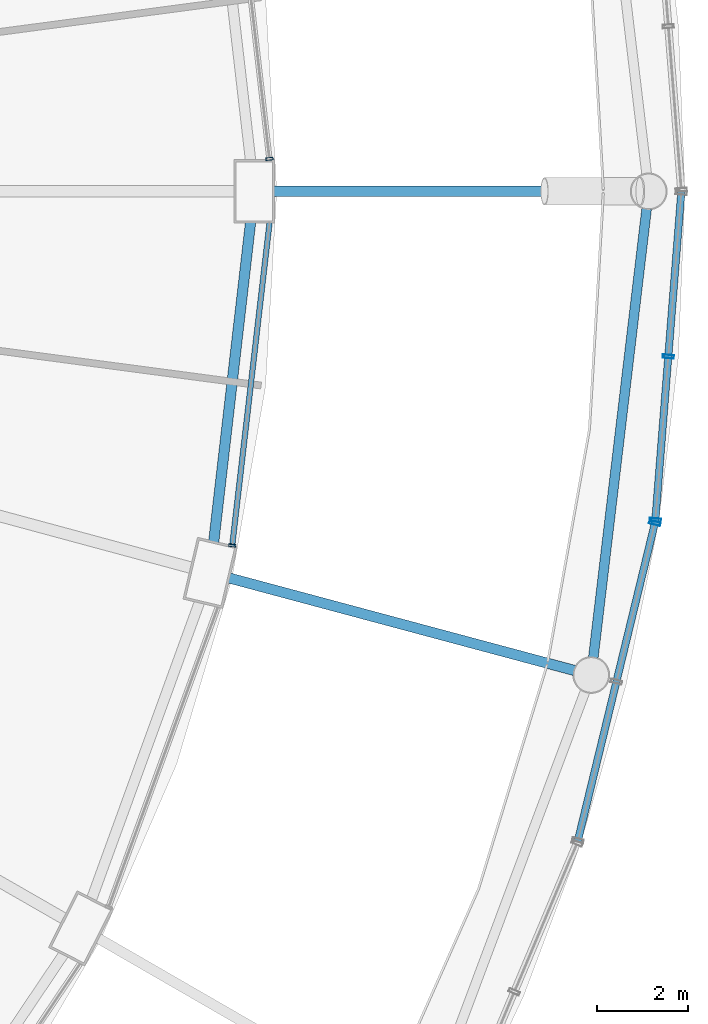
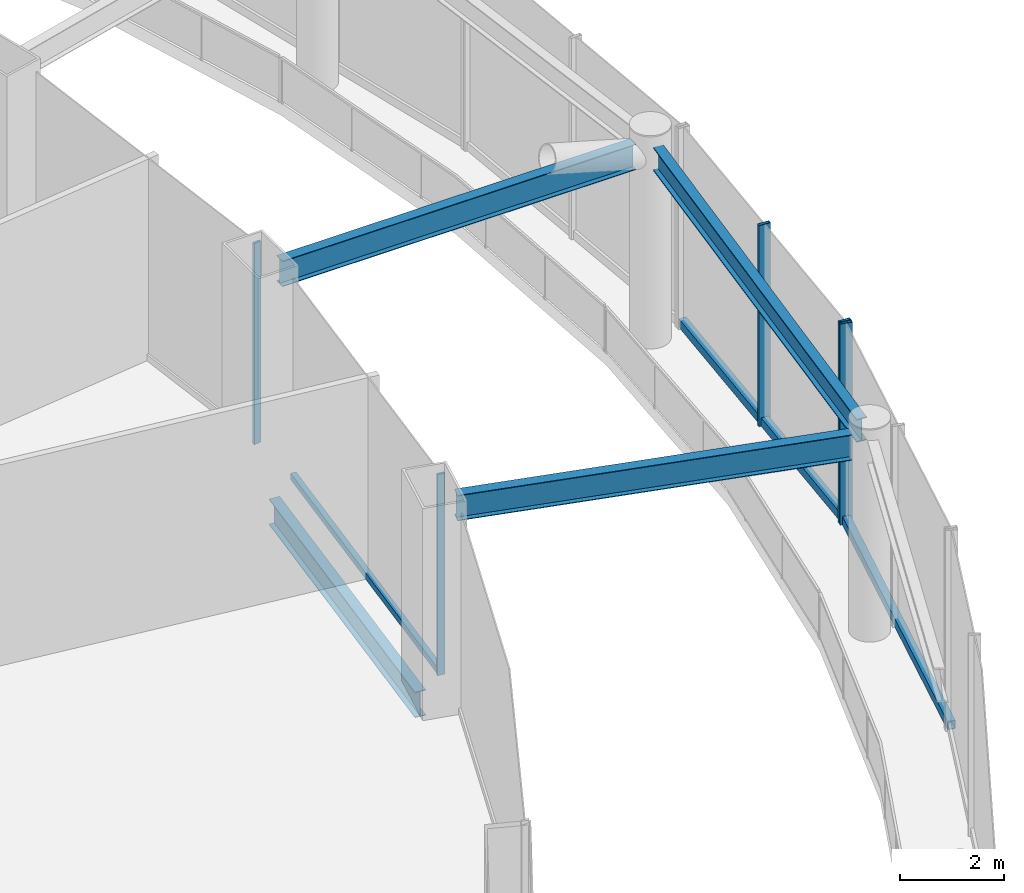
# One storey, part 27 of 52: 8 members, 4 beams, 4 elements without a shape of their own.
"""IFC4 building model written with IfcOpenShell, lengths in metres."""

import ifcopenshell
import ifcopenshell.guid

model = None  # the IFC model being written
_history = None  # IfcOwnerHistory: only IFC2X3 demands one
_inside = {}  # id of a spatial element -> (the spatial element, [elements in it])
_under = {}  # id of a project, library or spatial element -> (it, [spatial elements below it])
_declared = {}  # id of a project -> (the project, [libraries it declares])
_typed = {}  # id of a type object -> (the type object, [elements of that type])
_made_of = {}  # id of a material, layer set ... -> (it, [elements and type objects made of it])


def new_model(schema):
    """Start an empty IFC model of exactly this schema.

    Asked for "IFC4X3", IfcOpenShell would pick the latest addendum, in which some entities
    have other attributes; the version numbers below select the first issue.
    IFC2X3 requires an IfcOwnerHistory on every rooted entity: one is made here for all.
    """
    global model, _history
    if schema == "IFC4X3":
        model = ifcopenshell.file(schema_version=(4, 3, 0, 0))
    else:
        model = ifcopenshell.file(schema=schema)
    _inside.clear()
    _under.clear()
    _declared.clear()
    _typed.clear()
    _made_of.clear()
    _history = None
    if model.schema == "IFC2X3":
        org = make("IfcOrganization", Name="unknown")
        user = make(
            "IfcPersonAndOrganization",
            ThePerson=make("IfcPerson", FamilyName="unknown"),
            TheOrganization=org,
        )
        app = make(
            "IfcApplication",
            ApplicationDeveloper=org,
            Version="unknown",
            ApplicationFullName="unknown",
            ApplicationIdentifier="unknown",
        )
        _history = make(
            "IfcOwnerHistory",
            OwningUser=user,
            OwningApplication=app,
            ChangeAction="ADDED",
            CreationDate=0,
        )
    return model


def make(cls, **values):
    """One entity of the class cls with the attributes given. An attribute that is None is left unset."""
    return model.create_entity(
        cls, **{name: value for name, value in values.items() if value is not None}
    )


def rooted(cls, **values):
    """An entity with a GlobalId (a new one), such as an element, a storey or a relation."""
    return make(cls, GlobalId=ifcopenshell.guid.new(), OwnerHistory=_history, **values)


def si_unit(unit_type, name, prefix=None):
    """IfcSIUnit, for example si_unit("LENGTHUNIT", "METRE", prefix="MILLI")."""
    return make("IfcSIUnit", UnitType=unit_type, Prefix=prefix, Name=name)


def assignment(units):
    """IfcUnitAssignment: the units of a project."""
    return None if units is None else make("IfcUnitAssignment", Units=units)


def point(xyz):
    """IfcCartesianPoint."""
    return None if xyz is None else make("IfcCartesianPoint", Coordinates=xyz)


def direction(xyz):
    """IfcDirection."""
    return None if xyz is None else make("IfcDirection", DirectionRatios=xyz)


def frame(location, z_axis=None, x_axis=None):
    """IfcAxis2Placement3D, a coordinate frame: its origin and axes. An axis left out is left unset."""
    return make(
        "IfcAxis2Placement3D",
        Location=point(location),
        Axis=direction(z_axis),
        RefDirection=direction(x_axis),
    )


def frame_2d(location, x_axis=None):
    """IfcAxis2Placement2D, a coordinate frame in the plane: its origin and x axis."""
    return make(
        "IfcAxis2Placement2D", Location=point(location), RefDirection=direction(x_axis)
    )


def origin():
    """The frame at (0, 0, 0) with its axes left unset."""
    return frame((0.0, 0.0, 0.0))


def origin_2d():
    """The frame at (0, 0) in the plane with its x axis left unset."""
    return frame_2d((0.0, 0.0))


def place(relative_to, where):
    """IfcLocalPlacement: puts the frame where relative to a parent placement (None: the world)."""
    return make(
        "IfcLocalPlacement", PlacementRelTo=relative_to, RelativePlacement=where
    )


def context(
    kind, dimensions, precision=None, world=None, true_north=None, identifier=None
):
    """IfcGeometricRepresentationContext, for example the 3D "Model" context."""
    return make(
        "IfcGeometricRepresentationContext",
        ContextIdentifier=identifier,
        ContextType=kind,
        CoordinateSpaceDimension=dimensions,
        Precision=precision,
        WorldCoordinateSystem=world,
        TrueNorth=true_north,
    )


def subcontext(parent, identifier, kind, view, scale=None):
    """IfcGeometricRepresentationSubContext, for example "Body" below "Model"."""
    return make(
        "IfcGeometricRepresentationSubContext",
        ContextIdentifier=identifier,
        ContextType=kind,
        ParentContext=parent,
        TargetScale=scale,
        TargetView=view,
    )


def project(units=None, contexts=None):
    """IfcProject with its units and contexts."""
    return rooted(
        "IfcProject",
        Name="project",
        RepresentationContexts=contexts,
        UnitsInContext=assignment(units),
    )


def spatial(cls, under=None, at=None, **own):
    """A site, building, storey or space (cls), placed at a placement, below another one or the project."""
    s = rooted(cls, ObjectPlacement=at, **own)
    if under is not None:
        _under.setdefault(under.id(), (under, []))[1].append(s)
    return s


def profile(cls, at=None, kind="AREA", **sizes):
    """A parametric profile (cls). Its sizes go by their IFC names, for example OverallWidth=200.0."""
    return make(cls, ProfileType=kind, Position=at, **sizes)


def hollow_rectangle(**sizes):
    """IfcRectangleHollowProfileDef."""
    return profile("IfcRectangleHollowProfileDef", **sizes)


def i_section(**sizes):
    """IfcIShapeProfileDef."""
    return profile("IfcIShapeProfileDef", **sizes)


def extrude(swept, where, along, depth):
    """IfcExtrudedAreaSolid: the profile swept, set in the frame where, extruded along a direction by depth."""
    return make(
        "IfcExtrudedAreaSolid",
        SweptArea=swept,
        Position=where,
        ExtrudedDirection=direction(along),
        Depth=depth,
    )


def shape(context_of_items, identifier, shape_type, items):
    """IfcShapeRepresentation: the items that make up one representation, for example the "Body"."""
    return make(
        "IfcShapeRepresentation",
        ContextOfItems=context_of_items,
        RepresentationIdentifier=identifier,
        RepresentationType=shape_type,
        Items=items,
    )


def material(Name=None, Category=None):
    """IfcMaterial."""
    return make("IfcMaterial", Name=Name, Category=Category)


def layer(
    of_material, thickness, ventilated=None, Name=None, Category=None, Priority=None
):
    """IfcMaterialLayer: one layer of a wall or slab, of a material (None: an air gap)."""
    return make(
        "IfcMaterialLayer",
        Material=of_material,
        LayerThickness=thickness,
        IsVentilated=ventilated,
        Name=Name,
        Category=Category,
        Priority=Priority,
    )


def layer_set(layers, Name=None):
    """IfcMaterialLayerSet."""
    return make("IfcMaterialLayerSet", MaterialLayers=layers, LayerSetName=Name)


def material_profile(
    of_material, cross_section, Name=None, Category=None, Priority=None
):
    """IfcMaterialProfile: a cross section and its material."""
    return make(
        "IfcMaterialProfile",
        Name=Name,
        Material=of_material,
        Profile=cross_section,
        Priority=Priority,
        Category=Category,
    )


def profile_set(profiles, Name=None, composite=None):
    """IfcMaterialProfileSet."""
    return make(
        "IfcMaterialProfileSet",
        Name=Name,
        MaterialProfiles=profiles,
        CompositeProfile=composite,
    )


def made_of(thing, what):
    """Note that an element or type object is made of a material, layer set ...; save() writes the relation."""
    if what is not None:
        _made_of.setdefault(what.id(), (what, []))[1].append(thing)
    return thing


def type_object(cls, material=None, **own):
    """A type object (cls), such as IfcWallType, which elements share."""
    return made_of(rooted(cls, **own), material)


def element(
    cls,
    number,
    at=None,
    inside=None,
    cuts=None,
    type_object=None,
    material=None,
    context=None,
    identifier="Body",
    shape_type=None,
    held_by="IfcProductDefinitionShape",
    body=None,
    shapes=None,
    **own,
):
    """One element of the class cls, such as IfcWall. Its Tag is "e" and its number.

    at: its placement. inside: the storey or other place that contains it. cuts: it is an
    opening in that element (IfcRelVoidsElement). A single representation is given by context,
    identifier, shape_type and body (its items); several are given by shapes. held_by: the class
    of the entity that holds the representations. save() writes the other relations.
    """
    e = rooted(cls, Tag="e%d" % number, ObjectPlacement=at, **own)
    if body is not None:
        shapes = [shape(context, identifier, shape_type, body)]
    if shapes is not None:
        e.Representation = make(held_by, Representations=shapes)
    if inside is not None:
        _inside.setdefault(inside.id(), (inside, []))[1].append(e)
    if cuts is not None:
        rooted(
            "IfcRelVoidsElement", RelatingBuildingElement=cuts, RelatedOpeningElement=e
        )
    if type_object is not None:
        _typed.setdefault(type_object.id(), (type_object, []))[1].append(e)
    return made_of(e, material)


def aggregate(whole, parts):
    """IfcRelAggregates: a whole, such as a stair, and the parts it consists of."""
    return rooted("IfcRelAggregates", RelatingObject=whole, RelatedObjects=parts)


def save(model, path):
    """Write the relations noted so far, then the file.

    IfcRelAggregates (storeys below a building ...), IfcRelContainedInSpatialStructure (elements
    in a storey), IfcRelDefinesByType, IfcRelAssociatesMaterial and IfcRelDeclares: one each for
    every whole, place, type object, material and project.
    """
    for whole, parts in _under.values():
        aggregate(whole, parts)
    for where, things in _inside.values():
        rooted(
            "IfcRelContainedInSpatialStructure",
            RelatedElements=things,
            RelatingStructure=where,
        )
    for kind, things in _typed.values():
        rooted("IfcRelDefinesByType", RelatedObjects=things, RelatingType=kind)
    for what, things in _made_of.values():
        rooted("IfcRelAssociatesMaterial", RelatedObjects=things, RelatingMaterial=what)
    for by, libraries in _declared.values():
        rooted("IfcRelDeclares", RelatingContext=by, RelatedDefinitions=libraries)
    model.write(path)


model = new_model("IFC4")

# Units and contexts
model_context = context("Model", 3, precision=1e-05, world=origin(), true_north=direction((0.0, 1.0)))
body_context = subcontext(model_context, "Body", "Model", "MODEL_VIEW")
ifc_project = project(units=[si_unit("LENGTHUNIT", "METRE"), si_unit("AREAUNIT", "SQUARE_METRE"), si_unit("VOLUMEUNIT", "CUBIC_METRE"), si_unit("PLANEANGLEUNIT", "RADIAN"), si_unit("MASSUNIT", "GRAM", prefix="KILO")], contexts=[model_context])

# Site, building, storey
site_placement = place(None, origin())
site = spatial("IfcSite", under=ifc_project, at=site_placement, CompositionType="ELEMENT")
building_placement = place(site_placement, origin())
building = spatial("IfcBuilding", under=site, at=building_placement, Name="Nagisa Residences", CompositionType="ELEMENT")
storey_placement = place(building_placement, frame((0.0, 0.0, 22.0)))
storey = spatial("IfcBuildingStorey", under=building, at=storey_placement, Name="L04", CompositionType="ELEMENT", Elevation=22.0)

# Beams
ifc_material_1 = material(Name="Steel ASTM A572 Gr 50", Category="steel")
ifc_material_profile_1 = material_profile(ifc_material_1, i_section(OverallWidth=0.214111328125, OverallDepth=0.549072265625, WebThickness=0.0146484375, FlangeThickness=0.023681640625, at=origin_2d()), Name="W530x138")
ifc_profile_set_1 = profile_set([ifc_material_profile_1], Name="Steel ASTM A572 Gr 50")
beam_type_1 = type_object("IfcBeamType", Name="Atrium ring beam W530x138", PredefinedType="BEAM", material=ifc_profile_set_1)
beam_1_placement = place(storey_placement, frame((39.578125, -10.279541015625, 4.4755859375), z_axis=(0.118035165542, 0.993009415713, 0.0), x_axis=(-0.993009415713, 0.118035165542, 0.0)))
element("IfcBeam", 1, at=beam_1_placement, inside=storey, type_object=beam_type_1, Name="beam:L04:rab24", PredefinedType="BEAM", context=body_context, shape_type="SweptSolid", body=[
    extrude(i_section(OverallWidth=0.214111328125, OverallDepth=0.549072265625, WebThickness=0.0146484375, FlangeThickness=0.023681640625, at=origin_2d()), origin(), (0.0, 0.0, 1.0), 9.96533203125),
])
ifc_material_2 = material(Name="Steel ASTM A572 Gr 50", Category="steel")
ifc_material_profile_2 = material_profile(ifc_material_2, i_section(OverallWidth=0.22802734375, OverallDepth=0.60302734375, WebThickness=0.010498046875, FlangeThickness=0.014892578125, at=origin_2d()), Name="W610x101")
ifc_profile_set_2 = profile_set([ifc_material_profile_2], Name="Steel ASTM A572 Gr 50")
beam_type_2 = type_object("IfcBeamType", Name="Atrium roof beam W610x101", PredefinedType="BEAM", material=ifc_profile_set_2)
beam_2_placement = place(storey_placement, frame((32.530029296875, 0.0, 4.448486328125), z_axis=(1.0, 0.0, 0.0), x_axis=(0.0, 1.0, 0.0)))
element("IfcBeam", 2, at=beam_2_placement, inside=storey, type_object=beam_type_2, Name="beam:L04:rer01", PredefinedType="BEAM", context=body_context, shape_type="SweptSolid", body=[
    extrude(i_section(OverallWidth=0.22802734375, OverallDepth=0.60302734375, WebThickness=0.010498046875, FlangeThickness=0.014892578125, at=origin_2d()), origin(), (0.0, 0.0, 1.0), 7.883544921875),
])
beam_3_placement = place(storey_placement, frame((31.54443359375, -8.52294921875, 4.448486328125), z_axis=(0.965928422324, -0.258809356376, 0.0), x_axis=(0.258809356376, 0.965928422324, 0.0)))
element("IfcBeam", 3, at=beam_3_placement, inside=storey, type_object=beam_type_2, Name="beam:L04:rer24", PredefinedType="BEAM", context=body_context, shape_type="SweptSolid", body=[
    extrude(i_section(OverallWidth=0.22802734375, OverallDepth=0.60302734375, WebThickness=0.010498046875, FlangeThickness=0.014892578125, at=origin_2d()), origin(), (0.0, 0.0, 1.0), 7.88330078125),
])

# Curtain wall, member
ifc_material_3 = material(Name="Stainless steel curtain wall system", Category="steel")
ifc_layer_1 = layer(ifc_material_3, 0.159912109375)
ifc_layer_set_1 = layer_set([ifc_layer_1], Name="CW3 CURTAIN WALL")
curtain_wall_type_1 = type_object("IfcCurtainWallType", Name="CW3 CURTAIN WALL", PredefinedType="NOTDEFINED", material=ifc_layer_set_1)
curtain_wall_1_placement = place(storey_placement, origin())
curtain_wall_1 = element("IfcCurtainWall", 4, at=curtain_wall_1_placement, inside=storey, type_object=curtain_wall_type_1, Name="cw:CW3:L04:34", PredefinedType="NOTDEFINED")
ifc_material_4 = material(Name="Stainless steel", Category="steel")
ifc_material_profile_3 = material_profile(ifc_material_4, hollow_rectangle(XDim=0.25, YDim=0.080078125, WallThickness=0.008056640625, at=origin_2d()), Name="CW3 MULLION 250x80")
ifc_profile_set_3 = profile_set([ifc_material_profile_3], Name="Stainless steel")
member_type_1 = type_object("IfcMemberType", Name="CW3 MULLION 250x80", PredefinedType="MULLION", material=ifc_profile_set_3)
member_1_placement = place(storey_placement, frame((40.935546875, -7.313232421875, 0.0), z_axis=(0.0, 0.0, 1.0), x_axis=(-0.971848775146, 0.235605514043, 0.0)))
member_1 = element("IfcMember", 5, at=member_1_placement, type_object=member_type_1, Name="CW3 mullion", PredefinedType="MULLION", context=body_context, shape_type="SweptSolid", body=[
    extrude(hollow_rectangle(XDim=0.25, YDim=0.080078125, WallThickness=0.008056640625, at=origin_2d()), origin(), (0.0, 0.0, 1.0), 4.739990234375),
])

# Curtain wall, members
curtain_wall_2_placement = place(storey_placement, origin())
curtain_wall_2 = element("IfcCurtainWall", 6, at=curtain_wall_2_placement, inside=storey, type_object=curtain_wall_type_1, Name="cw:CW3:L04:35", PredefinedType="NOTDEFINED")
member_2_placement = place(storey_placement, frame((40.946044921875, -7.2470703125, 0.0), z_axis=(0.0, 0.0, 1.0), x_axis=(-0.996881777235, 0.078909582539, 0.0)))
member_2 = element("IfcMember", 7, at=member_2_placement, type_object=member_type_1, Name="CW3 mullion", PredefinedType="MULLION", context=body_context, shape_type="SweptSolid", body=[
    extrude(hollow_rectangle(XDim=0.25, YDim=0.080078125, WallThickness=0.008056640625, at=origin_2d()), origin(), (0.0, 0.0, 1.0), 4.739990234375),
])
member_3_placement = place(storey_placement, frame((41.231689453125, -3.640380859375, 0.0), z_axis=(0.0, 0.0, 1.0), x_axis=(-0.996881777235, 0.078909582539, 0.0)))
member_3 = element("IfcMember", 8, at=member_3_placement, type_object=member_type_1, Name="CW3 mullion", PredefinedType="MULLION", context=body_context, shape_type="SweptSolid", body=[
    extrude(hollow_rectangle(XDim=0.25, YDim=0.080078125, WallThickness=0.008056640625, at=origin_2d()), origin(), (0.0, 0.0, 1.0), 4.739990234375),
])

# Member
ifc_material_5 = material(Name="Stainless steel", Category="steel")
ifc_material_profile_4 = material_profile(ifc_material_5, hollow_rectangle(XDim=0.159912109375, YDim=0.199951171875, WallThickness=0.008056640625, at=origin_2d()), Name="CW3 TRANSOM 160x200")
ifc_profile_set_4 = profile_set([ifc_material_profile_4], Name="Stainless steel")
member_type_2 = type_object("IfcMemberType", Name="CW3 TRANSOM 160x200", PredefinedType="USERDEFINED", material=ifc_profile_set_4)
member_4_placement = place(storey_placement, frame((39.23046875, -14.345947265625, 0.10009765625), z_axis=(0.235637477095, 0.97184102578, 0.0), x_axis=(-0.97184102578, 0.235637477095, 0.0)))
member_4 = element("IfcMember", 9, at=member_4_placement, type_object=member_type_2, Name="CW3 transom", ObjectType="TRANSOM", PredefinedType="USERDEFINED", context=body_context, shape_type="SweptSolid", body=[
    extrude(hollow_rectangle(XDim=0.159912109375, YDim=0.199951171875, WallThickness=0.008056640625, at=origin_2d()), origin(), (0.0, 0.0, 1.0), 7.2763671875),
])

aggregate(curtain_wall_1, [member_1, member_4])

member_5_placement = place(storey_placement, frame((40.94287109375, -7.286865234375, 0.10009765625), z_axis=(0.078921540002, 0.996880830653, 0.0), x_axis=(-0.996880830653, 0.078921540002, 0.0)))
member_5 = element("IfcMember", 10, at=member_5_placement, type_object=member_type_2, Name="CW3 transom", ObjectType="TRANSOM", PredefinedType="USERDEFINED", context=body_context, shape_type="SweptSolid", body=[
    extrude(hollow_rectangle(XDim=0.159912109375, YDim=0.199951171875, WallThickness=0.008056640625, at=origin_2d()), origin(), (0.0, 0.0, 1.0), 7.31591796875),
])

aggregate(curtain_wall_2, [member_2, member_3, member_5])

# Curtain wall, member
ifc_material_6 = material(Name="Stainless steel curtain wall system", Category="steel")
ifc_layer_2 = layer(ifc_material_6, 0.159912109375)
ifc_layer_set_2 = layer_set([ifc_layer_2], Name="CW6 CURTAIN WALL")
curtain_wall_type_2 = type_object("IfcCurtainWallType", Name="CW6 CURTAIN WALL", PredefinedType="NOTDEFINED", material=ifc_layer_set_2)
curtain_wall_3_placement = place(storey_placement, origin())
curtain_wall_3 = element("IfcCurtainWall", 11, at=curtain_wall_3_placement, inside=storey, type_object=curtain_wall_type_2, Name="cw:CW6:L04:00", PredefinedType="NOTDEFINED")
ifc_material_7 = material(Name="Stainless steel", Category="steel")
ifc_material_profile_5 = material_profile(ifc_material_7, hollow_rectangle(XDim=0.159912109375, YDim=0.06005859375, WallThickness=0.006103515625, at=origin_2d()), Name="CW6 MULLION 160x60")
ifc_profile_set_5 = profile_set([ifc_material_profile_5], Name="Stainless steel")
member_type_3 = type_object("IfcMemberType", Name="CW6 MULLION 160x60", PredefinedType="MULLION", material=ifc_profile_set_5)
member_6_placement = place(storey_placement, frame((32.4365234375, 0.716064453125, 0.0), z_axis=(0.0, 0.0, 1.0), x_axis=(-0.993373823596, -0.114928006139, 0.0)))
member_6 = element("IfcMember", 12, at=member_6_placement, type_object=member_type_3, Name="CW6 mullion", PredefinedType="MULLION", context=body_context, shape_type="SweptSolid", body=[
    extrude(hollow_rectangle(XDim=0.159912109375, YDim=0.06005859375, WallThickness=0.006103515625, at=origin_2d()), origin(), (0.0, 0.0, 1.0), 4.739990234375),
])
aggregate(curtain_wall_3, [member_6])

# Curtain wall, members
curtain_wall_4_placement = place(storey_placement, origin())
curtain_wall_4 = element("IfcCurtainWall", 13, at=curtain_wall_4_placement, inside=storey, type_object=curtain_wall_type_2, Name="cw:CW6:L04:46", PredefinedType="NOTDEFINED")
member_7_placement = place(storey_placement, frame((31.6162109375, -7.806640625, 0.0), z_axis=(0.0, 0.0, 1.0), x_axis=(-0.993373823596, 0.114928006139, 0.0)))
member_7 = element("IfcMember", 14, at=member_7_placement, type_object=member_type_3, Name="CW6 mullion", PredefinedType="MULLION", context=body_context, shape_type="SweptSolid", body=[
    extrude(hollow_rectangle(XDim=0.159912109375, YDim=0.06005859375, WallThickness=0.006103515625, at=origin_2d()), origin(), (0.0, 0.0, 1.0), 4.739990234375),
])
ifc_material_8 = material(Name="Stainless steel", Category="steel")
ifc_material_profile_6 = material_profile(ifc_material_8, hollow_rectangle(XDim=0.1201171875, YDim=0.14990234375, WallThickness=0.008056640625, at=origin_2d()), Name="CW6 TRANSOM 120x150")
ifc_profile_set_6 = profile_set([ifc_material_profile_6], Name="Stainless steel")
member_type_4 = type_object("IfcMemberType", Name="CW6 TRANSOM 120x150", PredefinedType="USERDEFINED", material=ifc_profile_set_6)
member_8_placement = place(storey_placement, frame((31.61279296875, -7.83642578125, 0.074951171875), z_axis=(0.114949818518, 0.993371299778, 0.0), x_axis=(-0.993371299778, 0.114949818518, 0.0)))
member_8 = element("IfcMember", 15, at=member_8_placement, type_object=member_type_4, Name="CW6 transom", ObjectType="TRANSOM", PredefinedType="USERDEFINED", context=body_context, shape_type="SweptSolid", body=[
    extrude(hollow_rectangle(XDim=0.1201171875, YDim=0.14990234375, WallThickness=0.008056640625, at=origin_2d()), origin(), (0.0, 0.0, 1.0), 7.19775390625),
])
aggregate(curtain_wall_4, [member_7, member_8])

# Beam
ifc_material_9 = material(Name="Steel ASTM A572 Gr 50", Category="steel")
ifc_material_profile_7 = material_profile(ifc_material_9, i_section(OverallWidth=0.22802734375, OverallDepth=0.60302734375, WebThickness=0.010498046875, FlangeThickness=0.014892578125, at=origin_2d()), Name="W610x101")
ifc_profile_set_7 = profile_set([ifc_material_profile_7], Name="Steel ASTM A572 Gr 50")
beam_type_3 = type_object("IfcBeamType", Name="Perimeter ring beam W610x101", PredefinedType="BEAM", material=ifc_profile_set_7)
beam_4_placement = place(storey_placement, frame((31.20751953125, -7.7314453125, -0.6015625), z_axis=(0.114673717321, 0.993403210462, 0.0), x_axis=(-0.993403210462, 0.114673717321, 0.0)))
element("IfcBeam", 16, at=beam_4_placement, inside=storey, type_object=beam_type_3, Name="beam:L04:pb24", PredefinedType="BEAM", context=body_context, shape_type="SweptSolid", body=[
    extrude(i_section(OverallWidth=0.22802734375, OverallDepth=0.60302734375, WebThickness=0.010498046875, FlangeThickness=0.014892578125, at=origin_2d()), origin(), (0.0, 0.0, 1.0), 7.09814453125),
])

save(model, "model.ifc")
